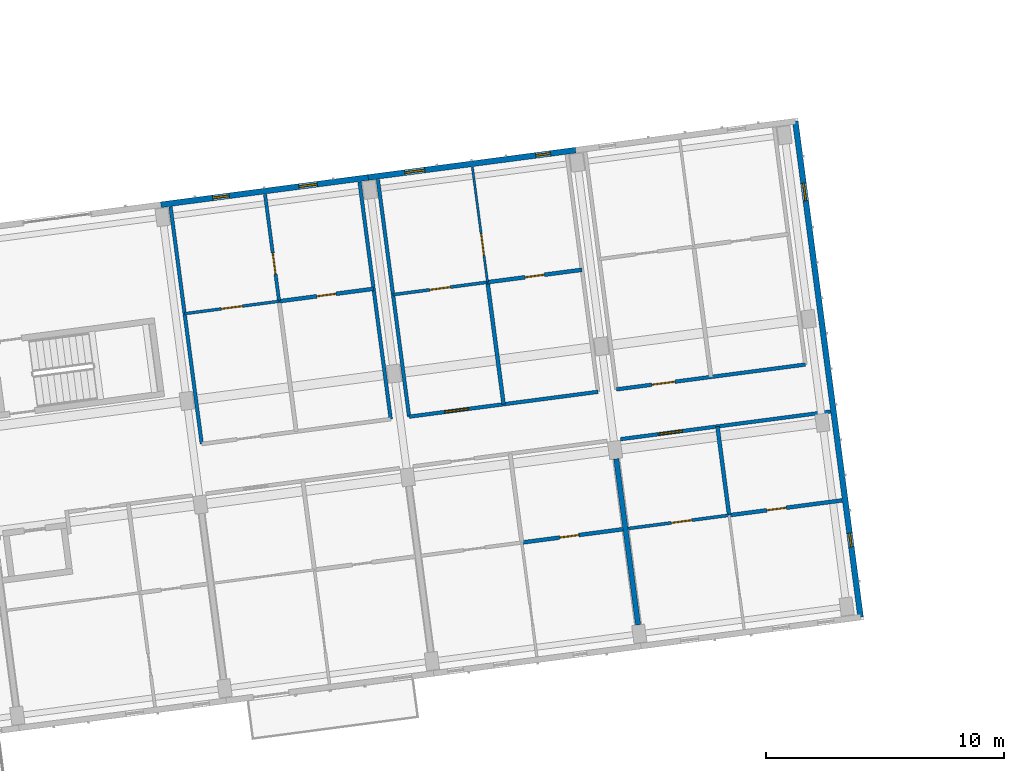
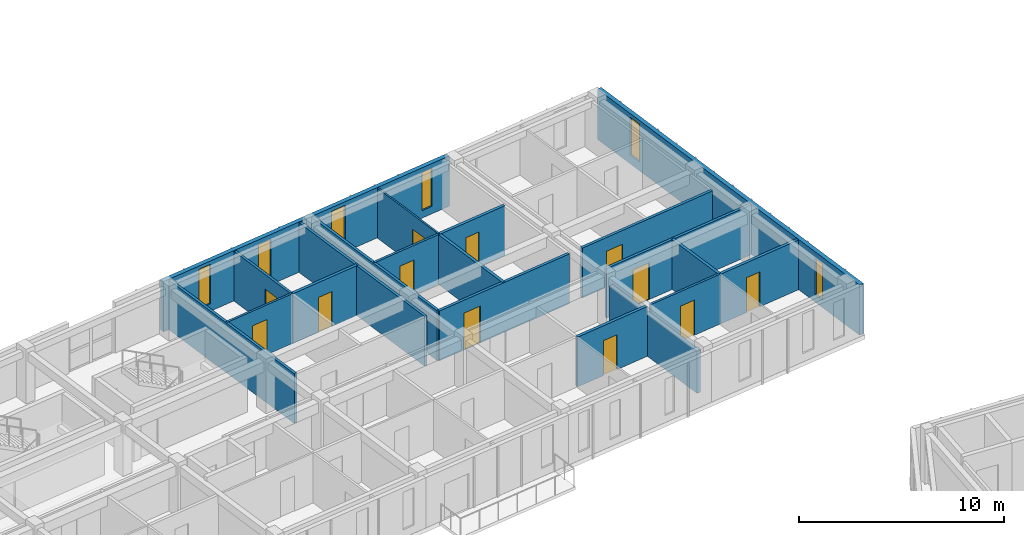
# One storey, part 24 of 68: 21 walls, 12 doors, 6 windows, 18 openings.
"""IFC4 building model written with IfcOpenShell, lengths in metres."""

from ifc_helpers import new_model, si_unit, direction, frame, frame_2d, origin, place, context, subcontext, project, spatial, rectangle, extrude, material, layer, layer_set, type_object, element, fill, save


model = new_model("IFC4")

# Units and contexts
model_context = context("Model", 3, precision=1e-05, world=origin(), true_north=direction((0.0, 1.0)))
body_context = subcontext(model_context, "Body", "Model", "MODEL_VIEW")
ifc_project = project(units=[si_unit("LENGTHUNIT", "METRE"), si_unit("AREAUNIT", "SQUARE_METRE"), si_unit("VOLUMEUNIT", "CUBIC_METRE"), si_unit("PLANEANGLEUNIT", "RADIAN"), si_unit("MASSUNIT", "GRAM", prefix="KILO")], contexts=[model_context])

# Site, building, storey
site_placement = place(None, origin())
site = spatial("IfcSite", under=ifc_project, at=site_placement, CompositionType="ELEMENT")
building_placement = place(site_placement, origin())
building = spatial("IfcBuilding", under=site, at=building_placement, Name="Kestramere Prow Commons", CompositionType="ELEMENT")
storey_placement = place(building_placement, frame((0.0, 0.0, 18.14990234375)))
storey = spatial("IfcBuildingStorey", under=building, at=storey_placement, Name="L05", CompositionType="ELEMENT", Elevation=18.14990234375)

# Wall, openings, windows
ifc_material_1 = material(Name="Fluoropolymer Standing-Seam Zinc-Aluminium Cladding", Category="aluminium")
ifc_layer_1 = layer(ifc_material_1, 0.239990234375)
ifc_layer_set_1 = layer_set([ifc_layer_1], Name="Fluoropolymer Standing-Seam Zinc-Aluminium Cladding")
wall_type_1 = type_object("IfcWallType", Name="EW-SEAM-240", PredefinedType="SOLIDWALL", material=ifc_layer_set_1)
wall_1_placement = place(storey_placement, frame((34.695068359375, 95.79541015625, 0.0), z_axis=(0.0, 0.0, 1.0), x_axis=(0.991447967712, 0.130502595073, 0.0)))
wall_1 = element("IfcWall", 1, at=wall_1_placement, inside=storey, type_object=wall_type_1, Name="Block A L05 North Standing-Seam Wall 4", PredefinedType="SOLIDWALL", context=body_context, shape_type="SweptSolid", body=[
    extrude(rectangle(XDim=8.800048828125, YDim=0.239990234375, at=frame_2d((4.39990234375, 0.0))), origin(), (0.0, 0.0, 1.0), 3.0),
])
opening_1_placement = place(wall_1_placement, frame((2.1943359375, 0.0, 0.43994140625)))
opening_1 = element("IfcOpeningElement", 2, at=opening_1_placement, cuts=wall_1, Name="Opening WN-07", PredefinedType="OPENING", context=body_context, shape_type="SweptSolid", body=[
    extrude(rectangle(XDim=0.699951171875, YDim=2.360107421875, at=frame_2d((0.35009765625, 1.18017578125))), frame((0.0, 0.135009765625, 0.0), z_axis=(0.0, -1.0, 0.0), x_axis=(1.0, 0.0, 0.0)), (0.0, 0.0, 1.0), 0.27001953125),
])
opening_2_placement = place(wall_1_placement, frame((5.848876953125, 0.0, 0.5)))
opening_2 = element("IfcOpeningElement", 3, at=opening_2_placement, cuts=wall_1, Name="Opening WN-11", PredefinedType="OPENING", context=body_context, shape_type="SweptSolid", body=[
    extrude(rectangle(XDim=0.780029296875, YDim=2.199951171875, at=frame_2d((0.39013671875, 1.10009765625))), frame((0.0, 0.135009765625, 0.0), z_axis=(0.0, -1.0, 0.0), x_axis=(1.0, 0.0, 0.0)), (0.0, 0.0, 1.0), 0.27001953125),
])
ifc_material_2 = material(Name="Low-E Laminated Double Glazing", Category="glass")
window_type_1 = type_object("IfcWindowType", Name="WN-NAR-700A", PartitioningType="SINGLE_PANEL", PredefinedType="WINDOW", material=ifc_material_2)
window_1_placement = place(opening_1_placement, origin())
window_1 = element("IfcWindow", 4, at=window_1_placement, inside=storey, type_object=window_type_1, Name="WN-A-L05-N-3-0", OverallHeight=2.360107421875, OverallWidth=0.699951171875, PartitioningType="SINGLE_PANEL", PredefinedType="WINDOW", context=body_context, shape_type="SweptSolid", body=[
    extrude(rectangle(XDim=0.699951171875, YDim=2.360107421875, at=frame_2d((0.35009765625, 1.18017578125))), frame((0.0, 0.030029296875, 0.0), z_axis=(0.0, -1.0, 0.0), x_axis=(1.0, 0.0, 0.0)), (0.0, 0.0, 1.0), 0.06005859375),
])
fill(opening_1, window_1)
window_type_2 = type_object("IfcWindowType", Name="WN-NAR-780A", PartitioningType="SINGLE_PANEL", PredefinedType="WINDOW", material=ifc_material_2)
window_2_placement = place(opening_2_placement, origin())
window_2 = element("IfcWindow", 5, at=window_2_placement, inside=storey, type_object=window_type_2, Name="WN-A-L05-N-3-1", OverallHeight=2.199951171875, OverallWidth=0.780029296875, PartitioningType="SINGLE_PANEL", PredefinedType="WINDOW", context=body_context, shape_type="SweptSolid", body=[
    extrude(rectangle(XDim=0.780029296875, YDim=2.199951171875, at=frame_2d((0.39013671875, 1.10009765625))), frame((0.0, 0.030029296875, 0.0), z_axis=(0.0, -1.0, 0.0), x_axis=(1.0, 0.0, 0.0)), (0.0, 0.0, 1.0), 0.06005859375),
])
fill(opening_2, window_2)

wall_2_placement = place(storey_placement, frame((43.419921875, 96.94384765625, 0.0), z_axis=(0.0, 0.0, 1.0), x_axis=(0.991443905089, 0.130533455715, 0.0)))
wall_2 = element("IfcWall", 6, at=wall_2_placement, inside=storey, type_object=wall_type_1, Name="Block A L05 North Standing-Seam Wall 5", PredefinedType="SOLIDWALL", context=body_context, shape_type="SweptSolid", body=[
    extrude(rectangle(XDim=8.7998046875, YDim=0.239990234375, at=frame_2d((4.39990234375, 0.0))), origin(), (0.0, 0.0, 1.0), 3.0),
])
opening_3_placement = place(wall_2_placement, frame((1.552001953125, 0.0, 0.5)))
opening_3 = element("IfcOpeningElement", 7, at=opening_3_placement, cuts=wall_2, Name="Opening WN-14", PredefinedType="OPENING", context=body_context, shape_type="SweptSolid", body=[
    extrude(rectangle(XDim=0.840087890625, YDim=2.280029296875, at=frame_2d((0.419921875, 1.14013671875))), frame((0.0, 0.135009765625, 0.0), z_axis=(0.0, -1.0, 0.0), x_axis=(1.0, 0.0, 0.0)), (0.0, 0.0, 1.0), 0.27001953125),
])
opening_4_placement = place(wall_2_placement, frame((7.11279296875, 0.0, 0.43994140625)))
opening_4 = element("IfcOpeningElement", 8, at=opening_4_placement, cuts=wall_2, Name="Opening WN-03", PredefinedType="OPENING", context=body_context, shape_type="SweptSolid", body=[
    extrude(rectangle(XDim=0.6201171875, YDim=2.280029296875, at=frame_2d((0.31005859375, 1.14013671875))), frame((0.0, 0.135009765625, 0.0), z_axis=(0.0, -1.0, 0.0), x_axis=(1.0, 0.0, 0.0)), (0.0, 0.0, 1.0), 0.27001953125),
])
window_type_3 = type_object("IfcWindowType", Name="WN-NAR-620A", PartitioningType="SINGLE_PANEL", PredefinedType="WINDOW", material=ifc_material_2)
window_3_placement = place(opening_4_placement, origin())
window_3 = element("IfcWindow", 9, at=window_3_placement, inside=storey, type_object=window_type_3, Name="WN-A-L05-N-4-1", OverallHeight=2.280029296875, OverallWidth=0.6201171875, PartitioningType="SINGLE_PANEL", PredefinedType="WINDOW", context=body_context, shape_type="SweptSolid", body=[
    extrude(rectangle(XDim=0.6201171875, YDim=2.280029296875, at=frame_2d((0.31005859375, 1.14013671875))), frame((0.0, 0.030029296875, 0.0), z_axis=(0.0, -1.0, 0.0), x_axis=(1.0, 0.0, 0.0)), (0.0, 0.0, 1.0), 0.06005859375),
])
fill(opening_4, window_3)
window_type_4 = type_object("IfcWindowType", Name="WN-NAR-840A", PartitioningType="DOUBLE_PANEL_VERTICAL", PredefinedType="WINDOW", material=ifc_material_2)
window_4_placement = place(opening_3_placement, origin())
window_4 = element("IfcWindow", 10, at=window_4_placement, inside=storey, type_object=window_type_4, Name="WN-A-L05-N-4-0", OverallHeight=2.280029296875, OverallWidth=0.840087890625, PartitioningType="SINGLE_PANEL", PredefinedType="WINDOW", context=body_context, shape_type="SweptSolid", body=[
    extrude(rectangle(XDim=0.840087890625, YDim=2.280029296875, at=frame_2d((0.419921875, 1.14013671875))), frame((0.0, 0.030029296875, 0.0), z_axis=(0.0, -1.0, 0.0), x_axis=(1.0, 0.0, 0.0)), (0.0, 0.0, 1.0), 0.06005859375),
])
fill(opening_3, window_4)

wall_3_placement = place(storey_placement, frame((61.3896484375, 99.309814453125, 0.0), z_axis=(0.0, 0.0, 1.0), x_axis=(0.13052411616, -0.99144513469, 0.0)))
wall_3 = element("IfcWall", 11, at=wall_3_placement, inside=storey, type_object=wall_type_1, Name="Block A L05 EAV Facet Wall", PredefinedType="SOLIDWALL", context=body_context, shape_type="SweptSolid", body=[
    extrude(rectangle(XDim=21.05029296875, YDim=0.239990234375, at=frame_2d((10.525146484375, 0.0))), origin(), (0.0, 0.0, 1.0), 3.0),
])
opening_5_placement = place(wall_3_placement, frame((2.6298828125, 0.0, 0.52001953125)))
opening_5 = element("IfcOpeningElement", 12, at=opening_5_placement, cuts=wall_3, Name="Opening WN-09", PredefinedType="OPENING", context=body_context, shape_type="SweptSolid", body=[
    extrude(rectangle(XDim=0.739990234375, YDim=2.260009765625, at=frame_2d((0.3701171875, 1.1298828125))), frame((0.0, 0.135009765625, 0.0), z_axis=(0.0, -1.0, 0.0), x_axis=(1.0, 0.0, 0.0)), (0.0, 0.0, 1.0), 0.27001953125),
])
opening_6_placement = place(wall_3_placement, frame((17.47998046875, 0.0, 0.449951171875)))
opening_6 = element("IfcOpeningElement", 13, at=opening_6_placement, cuts=wall_3, Name="Opening WN-01", PredefinedType="OPENING", context=body_context, shape_type="SweptSolid", body=[
    extrude(rectangle(XDim=0.580078125, YDim=2.159912109375, at=frame_2d((0.2900390625, 1.080078125))), frame((0.0, 0.135009765625, 0.0), z_axis=(0.0, -1.0, 0.0), x_axis=(1.0, 0.0, 0.0)), (0.0, 0.0, 1.0), 0.27001953125),
])
window_type_5 = type_object("IfcWindowType", Name="WN-NAR-580A", PartitioningType="SINGLE_PANEL", PredefinedType="WINDOW", material=ifc_material_2)
window_5_placement = place(opening_6_placement, origin())
window_5 = element("IfcWindow", 14, at=window_5_placement, inside=storey, type_object=window_type_5, Name="WN-A-L05-EAV-1", OverallHeight=2.159912109375, OverallWidth=0.580078125, PartitioningType="SINGLE_PANEL", PredefinedType="WINDOW", context=body_context, shape_type="SweptSolid", body=[
    extrude(rectangle(XDim=0.580078125, YDim=2.159912109375, at=frame_2d((0.2900390625, 1.080078125))), frame((0.0, 0.030029296875, 0.0), z_axis=(0.0, -1.0, 0.0), x_axis=(1.0, 0.0, 0.0)), (0.0, 0.0, 1.0), 0.06005859375),
])
fill(opening_6, window_5)
window_type_6 = type_object("IfcWindowType", Name="WN-NAR-740A", PartitioningType="SINGLE_PANEL", PredefinedType="WINDOW", material=ifc_material_2)
window_6_placement = place(opening_5_placement, origin())
window_6 = element("IfcWindow", 15, at=window_6_placement, inside=storey, type_object=window_type_6, Name="WN-A-L05-EAV-0", OverallHeight=2.260009765625, OverallWidth=0.739990234375, PartitioningType="SINGLE_PANEL", PredefinedType="WINDOW", context=body_context, shape_type="SweptSolid", body=[
    extrude(rectangle(XDim=0.739990234375, YDim=2.260009765625, at=frame_2d((0.3701171875, 1.1298828125))), frame((0.0, 0.030029296875, 0.0), z_axis=(0.0, -1.0, 0.0), x_axis=(1.0, 0.0, 0.0)), (0.0, 0.0, 1.0), 0.06005859375),
])
fill(opening_5, window_6)

# Wall, opening, door
ifc_material_3 = material(Name="Fire-Rated Calcium Silicate Wall")
ifc_layer_2 = layer(ifc_material_3, 0.155029296875)
ifc_layer_set_2 = layer_set([ifc_layer_2], Name="Fire-Rated Calcium Silicate Wall")
wall_type_2 = type_object("IfcWallType", Name="W-FIRE-150", PredefinedType="PARTITIONING", material=ifc_layer_set_2)
wall_4_placement = place(storey_placement, frame((54.033203125, 85.929931640625, 0.0), z_axis=(0.0, 0.0, 1.0), x_axis=(0.991443380249, 0.130537441989, 0.0)))
wall_4 = element("IfcWall", 16, at=wall_4_placement, inside=storey, type_object=wall_type_2, Name="Interior Partition PW-A-L05-CS-5", PredefinedType="PARTITIONING", context=body_context, shape_type="SweptSolid", body=[
    extrude(rectangle(XDim=8.909912109375, YDim=0.155029296875, at=frame_2d((4.455078125, 0.0))), origin(), (0.0, 0.0, 1.0), 2.97021484375),
])
opening_7_placement = place(wall_4_placement, frame((1.60498046875, 0.0, 0.0)))
opening_7 = element("IfcOpeningElement", 17, at=opening_7_placement, cuts=wall_4, Name="Opening ID-05", PredefinedType="OPENING", context=body_context, shape_type="SweptSolid", body=[
    extrude(rectangle(XDim=1.02001953125, YDim=2.199951171875, at=frame_2d((0.510009765625, 1.10009765625))), frame((0.0, 0.092529296875, 0.0), z_axis=(0.0, -1.0, 0.0), x_axis=(1.0, 0.0, 0.0)), (0.0, 0.0, 1.0), 0.18505859375),
])
ifc_material_4 = material(Name="Hardwood Fire-Rated Flat Entrance Door", Category="wood")
door_type_1 = type_object("IfcDoorType", Name="FD-ENT-02", OperationType="NOTDEFINED", PredefinedType="DOOR", material=ifc_material_4)
door_1_placement = place(opening_7_placement, origin())
door_1 = element("IfcDoor", 18, at=door_1_placement, inside=storey, type_object=door_type_1, Name="Interior Door DR-A-L05-ENT-S5", OperationType="SINGLE_SWING_LEFT", OverallHeight=2.199951171875, OverallWidth=1.02001953125, PredefinedType="DOOR", context=body_context, shape_type="SweptSolid", body=[
    extrude(rectangle(XDim=1.02001953125, YDim=2.199951171875, at=frame_2d((0.510009765625, 1.10009765625))), frame((0.0, 0.02490234375, 0.0), z_axis=(0.0, -1.0, 0.0), x_axis=(1.0, 0.0, 0.0)), (0.0, 0.0, 1.0), 0.050048828125),
])
fill(opening_7, door_1)

wall_5_placement = place(storey_placement, frame((45.138427734375, 86.877197265625, 0.0), z_axis=(0.0, 0.0, 1.0), x_axis=(0.991444034844, 0.130532470184, 0.0)))
wall_5 = element("IfcWall", 19, at=wall_5_placement, inside=storey, type_object=wall_type_2, Name="Interior Partition PW-A-L05-CN-4", PredefinedType="PARTITIONING", context=body_context, shape_type="SweptSolid", body=[
    extrude(rectangle(XDim=8.02001953125, YDim=0.155029296875, at=frame_2d((4.010009765625, 0.0))), origin(), (0.0, 0.0, 1.0), 2.97021484375),
])
opening_8_placement = place(wall_5_placement, frame((1.5048828125, 0.0, 0.0)))
opening_8 = element("IfcOpeningElement", 20, at=opening_8_placement, cuts=wall_5, Name="Opening ID-05", PredefinedType="OPENING", context=body_context, shape_type="SweptSolid", body=[
    extrude(rectangle(XDim=1.02001953125, YDim=2.199951171875, at=frame_2d((0.510009765625, 1.10009765625))), frame((0.0, 0.092529296875, 0.0), z_axis=(0.0, -1.0, 0.0), x_axis=(1.0, 0.0, 0.0)), (0.0, 0.0, 1.0), 0.18505859375),
])
door_2_placement = place(opening_8_placement, origin())
door_2 = element("IfcDoor", 21, at=door_2_placement, inside=storey, type_object=door_type_1, Name="Interior Door DR-A-L05-ENT-N4", OperationType="SINGLE_SWING_LEFT", OverallHeight=2.199951171875, OverallWidth=1.02001953125, PredefinedType="DOOR", context=body_context, shape_type="SweptSolid", body=[
    extrude(rectangle(XDim=1.02001953125, YDim=2.199951171875, at=frame_2d((0.510009765625, 1.10009765625))), frame((0.0, 0.02490234375, 0.0), z_axis=(0.0, -1.0, 0.0), x_axis=(1.0, 0.0, 0.0)), (0.0, 0.0, 1.0), 0.050048828125),
])
fill(opening_8, door_2)

wall_6_placement = place(storey_placement, frame((53.86328125, 88.02587890625, 0.0), z_axis=(0.0, 0.0, 1.0), x_axis=(0.991447973994, 0.130502547346, 0.0)))
wall_6 = element("IfcWall", 22, at=wall_6_placement, inside=storey, type_object=wall_type_2, Name="Interior Partition PW-A-L05-CN-5", PredefinedType="PARTITIONING", context=body_context, shape_type="SweptSolid", body=[
    extrude(rectangle(XDim=8.02001953125, YDim=0.155029296875, at=frame_2d((4.010009765625, 0.0))), origin(), (0.0, 0.0, 1.0), 2.97021484375),
])
opening_9_placement = place(wall_6_placement, frame((1.5048828125, 0.0, 0.0)))
opening_9 = element("IfcOpeningElement", 23, at=opening_9_placement, cuts=wall_6, Name="Opening ID-04", PredefinedType="OPENING", context=body_context, shape_type="SweptSolid", body=[
    extrude(rectangle(XDim=0.97998046875, YDim=2.14990234375, at=frame_2d((0.489990234375, 1.074951171875))), frame((0.0, 0.092529296875, 0.0), z_axis=(0.0, -1.0, 0.0), x_axis=(1.0, 0.0, 0.0)), (0.0, 0.0, 1.0), 0.18505859375),
])
door_type_2 = type_object("IfcDoorType", Name="FD-ENT-01", OperationType="NOTDEFINED", PredefinedType="DOOR", material=ifc_material_4)
door_3_placement = place(opening_9_placement, origin())
door_3 = element("IfcDoor", 24, at=door_3_placement, inside=storey, type_object=door_type_2, Name="Interior Door DR-A-L05-ENT-N5", OperationType="SINGLE_SWING_RIGHT", OverallHeight=2.14990234375, OverallWidth=0.97998046875, PredefinedType="DOOR", context=body_context, shape_type="SweptSolid", body=[
    extrude(rectangle(XDim=0.97998046875, YDim=2.14990234375, at=frame_2d((0.489990234375, 1.074951171875))), frame((0.0, 0.02490234375, 0.0), z_axis=(0.0, -1.0, 0.0), x_axis=(1.0, 0.0, 0.0)), (0.0, 0.0, 1.0), 0.050048828125),
])
fill(opening_9, door_3)

ifc_material_5 = material(Name="Lightweight Blockwork and Plaster", Category="masonry")
ifc_layer_3 = layer(ifc_material_5, 0.1201171875)
ifc_layer_set_3 = layer_set([ifc_layer_3], Name="Lightweight Blockwork and Plaster")
wall_type_3 = type_object("IfcWallType", Name="W-PART-120", PredefinedType="PARTITIONING", material=ifc_layer_set_3)
wall_7_placement = place(storey_placement, frame((35.69189453125, 91.211181640625, 0.0), z_axis=(0.0, 0.0, 1.0), x_axis=(0.991444553502, 0.130528530716, 0.0)))
wall_7 = element("IfcWall", 25, at=wall_7_placement, inside=storey, type_object=wall_type_3, Name="Interior Partition PW-A-L05-MIDN1-3", PredefinedType="PARTITIONING", context=body_context, shape_type="SweptSolid", body=[
    extrude(rectangle(XDim=4.01025390625, YDim=0.1201171875, at=frame_2d((2.005126953125, 0.0))), origin(), (0.0, 0.0, 1.0), 2.97021484375),
])
opening_10_placement = place(wall_7_placement, frame((1.554931640625, 0.0, 0.0)))
opening_10 = element("IfcOpeningElement", 26, at=opening_10_placement, cuts=wall_7, Name="Opening ID-08", PredefinedType="OPENING", context=body_context, shape_type="SweptSolid", body=[
    extrude(rectangle(XDim=0.89990234375, YDim=2.10009765625, at=frame_2d((0.449951171875, 1.050048828125))), frame((0.0, 0.074951171875, 0.0), z_axis=(0.0, -1.0, 0.0), x_axis=(1.0, 0.0, 0.0)), (0.0, 0.0, 1.0), 0.150146484375),
])
ifc_material_6 = material(Name="Engineered Timber Flush Door", Category="wood")
door_type_3 = type_object("IfcDoorType", Name="D-RM-01", OperationType="NOTDEFINED", PredefinedType="DOOR", material=ifc_material_6)
door_4_placement = place(opening_10_placement, origin())
door_4 = element("IfcDoor", 27, at=door_4_placement, inside=storey, type_object=door_type_3, Name="Interior Door DR-A-L05-KL-N3", OperationType="SINGLE_SWING_LEFT", OverallHeight=2.10009765625, OverallWidth=0.89990234375, PredefinedType="DOOR", context=body_context, shape_type="SweptSolid", body=[
    extrude(rectangle(XDim=0.89990234375, YDim=2.10009765625, at=frame_2d((0.449951171875, 1.050048828125))), frame((0.0, 0.02490234375, 0.0), z_axis=(0.0, -1.0, 0.0), x_axis=(1.0, 0.0, 0.0)), (0.0, 0.0, 1.0), 0.050048828125),
])
fill(opening_10, door_4)

ifc_layer_4 = layer(ifc_material_5, 0.1298828125)
ifc_layer_set_4 = layer_set([ifc_layer_4], Name="Lightweight Blockwork and Plaster")
wall_type_4 = type_object("IfcWallType", Name="W-PART-130", PredefinedType="PARTITIONING", material=ifc_layer_set_4)
wall_8_placement = place(storey_placement, frame((54.356689453125, 82.170166015625, 0.0), z_axis=(0.0, 0.0, 1.0), x_axis=(0.991444014242, 0.130532626667, 0.0)))
wall_8 = element("IfcWall", 28, at=wall_8_placement, inside=storey, type_object=wall_type_4, Name="Interior Partition PW-A-L05-MIDS1-5", PredefinedType="PARTITIONING", context=body_context, shape_type="SweptSolid", body=[
    extrude(rectangle(XDim=4.284912109375, YDim=0.1298828125, at=frame_2d((2.142578125, 0.0))), origin(), (0.0, 0.0, 1.0), 2.97021484375),
])
opening_11_placement = place(wall_8_placement, frame((1.824951171875, 0.0, 0.0)))
opening_11 = element("IfcOpeningElement", 29, at=opening_11_placement, cuts=wall_8, Name="Opening ID-10", PredefinedType="OPENING", context=body_context, shape_type="SweptSolid", body=[
    extrude(rectangle(XDim=0.8798828125, YDim=2.10009765625, at=frame_2d((0.43994140625, 1.050048828125))), frame((0.0, 0.079833984375, 0.0), z_axis=(0.0, -1.0, 0.0), x_axis=(1.0, 0.0, 0.0)), (0.0, 0.0, 1.0), 0.159912109375),
])
ifc_material_7 = material(Name="Engineered Timber Bedroom Door", Category="wood")
door_type_4 = type_object("IfcDoorType", Name="D-RM-03", OperationType="NOTDEFINED", PredefinedType="DOOR", material=ifc_material_7)
door_5_placement = place(opening_11_placement, origin())
door_5 = element("IfcDoor", 30, at=door_5_placement, inside=storey, type_object=door_type_4, Name="Interior Door DR-A-L05-KL-S5", OperationType="SINGLE_SWING_RIGHT", OverallHeight=2.10009765625, OverallWidth=0.8798828125, PredefinedType="DOOR", context=body_context, shape_type="SweptSolid", body=[
    extrude(rectangle(XDim=0.8798828125, YDim=2.10009765625, at=frame_2d((0.43994140625, 1.050048828125))), frame((0.0, 0.02490234375, 0.0), z_axis=(0.0, -1.0, 0.0), x_axis=(1.0, 0.0, 0.0)), (0.0, 0.0, 1.0), 0.050048828125),
])
fill(opening_11, door_5)

wall_9_placement = place(storey_placement, frame((44.46240234375, 92.012939453125, 0.0), z_axis=(0.0, 0.0, 1.0), x_axis=(0.991451394038, 0.130476562111, 0.0)))
wall_9 = element("IfcWall", 31, at=wall_9_placement, inside=storey, type_object=wall_type_4, Name="Interior Partition PW-A-L05-MIDN1-4", PredefinedType="PARTITIONING", context=body_context, shape_type="SweptSolid", body=[
    extrude(rectangle(XDim=4.009765625, YDim=0.1298828125, at=frame_2d((2.0048828125, 0.0))), origin(), (0.0, 0.0, 1.0), 2.97021484375),
])
opening_12_placement = place(wall_9_placement, frame((1.554931640625, 0.0, 0.0)))
opening_12 = element("IfcOpeningElement", 32, at=opening_12_placement, cuts=wall_9, Name="Opening ID-10", PredefinedType="OPENING", context=body_context, shape_type="SweptSolid", body=[
    extrude(rectangle(XDim=0.8798828125, YDim=2.10009765625, at=frame_2d((0.43994140625, 1.050048828125))), frame((0.0, 0.079833984375, 0.0), z_axis=(0.0, -1.0, 0.0), x_axis=(1.0, 0.0, 0.0)), (0.0, 0.0, 1.0), 0.159912109375),
])
door_6_placement = place(opening_12_placement, origin())
door_6 = element("IfcDoor", 33, at=door_6_placement, inside=storey, type_object=door_type_4, Name="Interior Door DR-A-L05-KL-N4", OperationType="SINGLE_SWING_LEFT", OverallHeight=2.10009765625, OverallWidth=0.8798828125, PredefinedType="DOOR", context=body_context, shape_type="SweptSolid", body=[
    extrude(rectangle(XDim=0.8798828125, YDim=2.10009765625, at=frame_2d((0.43994140625, 1.050048828125))), frame((0.0, 0.02490234375, 0.0), z_axis=(0.0, -1.0, 0.0), x_axis=(1.0, 0.0, 0.0)), (0.0, 0.0, 1.0), 0.050048828125),
])
fill(opening_12, door_6)

ifc_material_8 = material(Name="Masonry Compartment Wall", Category="masonry")
ifc_layer_5 = layer(ifc_material_8, 0.139892578125)
ifc_layer_set_5 = layer_set([ifc_layer_5], Name="Masonry Compartment Wall")
wall_type_5 = type_object("IfcWallType", Name="W-PART-140", PredefinedType="PARTITIONING", material=ifc_layer_set_5)
wall_10_placement = place(storey_placement, frame((39.667724609375, 91.734619140625, 0.0), z_axis=(0.0, 0.0, 1.0), x_axis=(-0.130564403497, 0.991439830015, 0.0)))
wall_10 = element("IfcWall", 34, at=wall_10_placement, inside=storey, type_object=wall_type_5, Name="Interior Partition PW-A-L05-LB-N3", PredefinedType="PARTITIONING", context=body_context, shape_type="SweptSolid", body=[
    extrude(rectangle(XDim=4.5400390625, YDim=0.139892578125, at=frame_2d((2.27001953125, 0.0))), origin(), (0.0, 0.0, 1.0), 2.97021484375),
])
opening_13_placement = place(wall_10_placement, frame((1.14990234375, 0.0, 0.0)))
opening_13 = element("IfcOpeningElement", 35, at=opening_13_placement, cuts=wall_10, Name="Opening ID-08", PredefinedType="OPENING", context=body_context, shape_type="SweptSolid", body=[
    extrude(rectangle(XDim=0.89990234375, YDim=2.10009765625, at=frame_2d((0.449951171875, 1.050048828125))), frame((0.0, 0.0849609375, 0.0), z_axis=(0.0, -1.0, 0.0), x_axis=(1.0, 0.0, 0.0)), (0.0, 0.0, 1.0), 0.169921875),
])
door_7_placement = place(opening_13_placement, origin())
door_7 = element("IfcDoor", 36, at=door_7_placement, inside=storey, type_object=door_type_3, Name="Interior Door DR-A-L05-BED-N3", OperationType="SINGLE_SWING_LEFT", OverallHeight=2.10009765625, OverallWidth=0.89990234375, PredefinedType="DOOR", context=body_context, shape_type="SweptSolid", body=[
    extrude(rectangle(XDim=0.89990234375, YDim=2.10009765625, at=frame_2d((0.449951171875, 1.050048828125))), frame((0.0, 0.02490234375, 0.0), z_axis=(0.0, -1.0, 0.0), x_axis=(1.0, 0.0, 0.0)), (0.0, 0.0, 1.0), 0.050048828125),
])
fill(opening_13, door_7)

# Walls
ifc_layer_6 = layer(ifc_material_8, 0.14990234375)
ifc_layer_set_6 = layer_set([ifc_layer_6], Name="Masonry Compartment Wall")
wall_type_6 = type_object("IfcWallType", Name="W-PART-150", PredefinedType="PARTITIONING", material=ifc_layer_set_6)
for number, where, z_axis, x_axis, name in (
    (37, (36.413818359375, 85.728515625, 0.0), (0.0, 0.0, 1.0), (-0.130531024319, 0.991444225204, 0.0), "Interior Partition PW-A-L05-NWL-3"),
    (38, (44.365234375, 86.775390625, 0.0), (0.0, 0.0, 1.0), (-0.130531024319, 0.991444225204, 0.0), "Interior Partition PW-A-L05-NWR-3"),
    (39, (45.138427734375, 86.877197265625, 0.0), (0.0, 0.0, 1.0), (-0.130531024319, 0.991444225204, 0.0), "Interior Partition PW-A-L05-NWL-4"),
):
    element("IfcWall", number, at=place(storey_placement, frame(where, z_axis=z_axis, x_axis=x_axis)), inside=storey, type_object=wall_type_6, Name=name, PredefinedType="PARTITIONING", context=body_context, shape_type="SweptSolid", body=[
        extrude(rectangle(XDim=10.070068359375, YDim=0.14990234375, at=frame_2d((5.03515625, 0.0))), origin(), (0.0, 0.0, 1.0), 2.97021484375),
    ])

# Wall, opening, door
ifc_material_9 = material(Name="Gypsum Acoustic Drywall")
ifc_layer_7 = layer(ifc_material_9, 0.094970703125)
ifc_layer_set_7 = layer_set([ifc_layer_7], Name="Gypsum Acoustic Drywall")
wall_type_7 = type_object("IfcWallType", Name="W-PART-95", PredefinedType="PARTITIONING", material=ifc_layer_set_7)
wall_11_placement = place(storey_placement, frame((48.43798828125, 92.5361328125, 0.0), z_axis=(0.0, 0.0, 1.0), x_axis=(-0.130508755558, 0.991447156798, 0.0)))
wall_11 = element("IfcWall", 40, at=wall_11_placement, inside=storey, type_object=wall_type_7, Name="Interior Partition PW-A-L05-LB-N4", PredefinedType="PARTITIONING", context=body_context, shape_type="SweptSolid", body=[
    extrude(rectangle(XDim=4.889892578125, YDim=0.094970703125, at=frame_2d((2.44482421875, 0.0))), origin(), (0.0, 0.0, 1.0), 2.97021484375),
])
opening_14_placement = place(wall_11_placement, frame((1.14990234375, 0.0, 0.0)))
opening_14 = element("IfcOpeningElement", 41, at=opening_14_placement, cuts=wall_11, Name="Opening ID-08", PredefinedType="OPENING", context=body_context, shape_type="SweptSolid", body=[
    extrude(rectangle(XDim=0.89990234375, YDim=2.10009765625, at=frame_2d((0.449951171875, 1.050048828125))), frame((0.0, 0.0625, 0.0), z_axis=(0.0, -1.0, 0.0), x_axis=(1.0, 0.0, 0.0)), (0.0, 0.0, 1.0), 0.125),
])
door_8_placement = place(opening_14_placement, origin())
door_8 = element("IfcDoor", 42, at=door_8_placement, inside=storey, type_object=door_type_3, Name="Interior Door DR-A-L05-BED-N4", OperationType="SINGLE_SWING_LEFT", OverallHeight=2.10009765625, OverallWidth=0.89990234375, PredefinedType="DOOR", context=body_context, shape_type="SweptSolid", body=[
    extrude(rectangle(XDim=0.89990234375, YDim=2.10009765625, at=frame_2d((0.449951171875, 1.050048828125))), frame((0.0, 0.02490234375, 0.0), z_axis=(0.0, -1.0, 0.0), x_axis=(1.0, 0.0, 0.0)), (0.0, 0.0, 1.0), 0.050048828125),
])
fill(opening_14, door_8)

ifc_material_10 = material(Name="Waterproof Sanitary Masonry Wall", Category="masonry")
ifc_layer_8 = layer(ifc_material_10, 0.1650390625)
ifc_layer_set_8 = layer_set([ifc_layer_8], Name="Waterproof Sanitary Masonry Wall")
wall_type_8 = type_object("IfcWallType", Name="W-PLUMB-150", PredefinedType="PLUMBINGWALL", material=ifc_layer_set_8)
wall_12_placement = place(storey_placement, frame((49.88037109375, 81.580810546875, 0.0), z_axis=(0.0, 0.0, 1.0), x_axis=(0.991444014242, 0.130532626667, 0.0)))
wall_12 = element("IfcWall", 43, at=wall_12_placement, inside=storey, type_object=wall_type_8, Name="Interior Partition PW-A-L05-MIDS2-4", PredefinedType="PLUMBINGWALL", context=body_context, shape_type="SweptSolid", body=[
    extrude(rectangle(XDim=4.284912109375, YDim=0.1650390625, at=frame_2d((2.142578125, 0.0))), origin(), (0.0, 0.0, 1.0), 2.97021484375),
])
opening_15_placement = place(wall_12_placement, frame((1.60009765625, 0.0, 0.0)))
opening_15 = element("IfcOpeningElement", 44, at=opening_15_placement, cuts=wall_12, Name="Opening ID-11", PredefinedType="OPENING", context=body_context, shape_type="SweptSolid", body=[
    extrude(rectangle(XDim=0.820068359375, YDim=2.080078125, at=frame_2d((0.41015625, 1.0400390625))), frame((0.0, 0.097412109375, 0.0), z_axis=(0.0, -1.0, 0.0), x_axis=(1.0, 0.0, 0.0)), (0.0, 0.0, 1.0), 0.195068359375),
])
ifc_material_11 = material(Name="Moisture-Resistant Timber Bathroom Door", Category="wood")
door_type_5 = type_object("IfcDoorType", Name="D-BT-01", OperationType="NOTDEFINED", PredefinedType="DOOR", material=ifc_material_11)
door_9_placement = place(opening_15_placement, origin())
door_9 = element("IfcDoor", 45, at=door_9_placement, inside=storey, type_object=door_type_5, Name="Interior Door DR-A-L05-BTH-S4", OperationType="SINGLE_SWING_LEFT", OverallHeight=2.080078125, OverallWidth=0.820068359375, PredefinedType="DOOR", context=body_context, shape_type="SweptSolid", body=[
    extrude(rectangle(XDim=0.820068359375, YDim=2.080078125, at=frame_2d((0.41015625, 1.0400390625))), frame((0.0, 0.02490234375, 0.0), z_axis=(0.0, -1.0, 0.0), x_axis=(1.0, 0.0, 0.0)), (0.0, 0.0, 1.0), 0.050048828125),
])
fill(opening_15, door_9)

wall_13_placement = place(storey_placement, frame((58.60498046875, 82.7294921875, 0.0), z_axis=(0.0, 0.0, 1.0), x_axis=(0.991449269254, 0.130492706676, 0.0)))
wall_13 = element("IfcWall", 46, at=wall_13_placement, inside=storey, type_object=wall_type_8, Name="Interior Partition PW-A-L05-MIDS2-5", PredefinedType="PLUMBINGWALL", context=body_context, shape_type="SweptSolid", body=[
    extrude(rectangle(XDim=4.795166015625, YDim=0.1650390625, at=frame_2d((2.3974609375, 0.0))), origin(), (0.0, 0.0, 1.0), 2.97021484375),
])
opening_16_placement = place(wall_13_placement, frame((1.60009765625, 0.0, 0.0)))
opening_16 = element("IfcOpeningElement", 47, at=opening_16_placement, cuts=wall_13, Name="Opening ID-11", PredefinedType="OPENING", context=body_context, shape_type="SweptSolid", body=[
    extrude(rectangle(XDim=0.820068359375, YDim=2.080078125, at=frame_2d((0.41015625, 1.0400390625))), frame((0.0, 0.097412109375, 0.0), z_axis=(0.0, -1.0, 0.0), x_axis=(1.0, 0.0, 0.0)), (0.0, 0.0, 1.0), 0.195068359375),
])
door_10_placement = place(opening_16_placement, origin())
door_10 = element("IfcDoor", 48, at=door_10_placement, inside=storey, type_object=door_type_5, Name="Interior Door DR-A-L05-BTH-S5", OperationType="SINGLE_SWING_LEFT", OverallHeight=2.080078125, OverallWidth=0.820068359375, PredefinedType="DOOR", context=body_context, shape_type="SweptSolid", body=[
    extrude(rectangle(XDim=0.820068359375, YDim=2.080078125, at=frame_2d((0.41015625, 1.0400390625))), frame((0.0, 0.02490234375, 0.0), z_axis=(0.0, -1.0, 0.0), x_axis=(1.0, 0.0, 0.0)), (0.0, 0.0, 1.0), 0.050048828125),
])
fill(opening_16, door_10)

# Wall
wall_14_placement = place(storey_placement, frame((58.60498046875, 82.7294921875, 0.0), z_axis=(0.0, 0.0, 1.0), x_axis=(-0.130496394248, 0.991448783896, 0.0)))
element("IfcWall", 49, at=wall_14_placement, inside=storey, type_object=wall_type_8, Name="Interior Partition PW-A-L05-KB-S5", PredefinedType="PLUMBINGWALL", context=body_context, shape_type="SweptSolid", body=[
    extrude(rectangle(XDim=3.769775390625, YDim=0.1650390625, at=frame_2d((1.884765625, 0.0))), origin(), (0.0, 0.0, 1.0), 2.97021484375),
])

# Wall, opening, door
wall_15_placement = place(storey_placement, frame((39.667724609375, 91.734619140625, 0.0), z_axis=(0.0, 0.0, 1.0), x_axis=(0.991443516139, 0.130536409887, 0.0)))
wall_15 = element("IfcWall", 50, at=wall_15_placement, inside=storey, type_object=wall_type_8, Name="Interior Partition PW-A-L05-MIDN2-3", PredefinedType="PLUMBINGWALL", context=body_context, shape_type="SweptSolid", body=[
    extrude(rectangle(XDim=4.010009765625, YDim=0.1650390625, at=frame_2d((2.0048828125, 0.0))), origin(), (0.0, 0.0, 1.0), 2.97021484375),
])
opening_17_placement = place(wall_15_placement, frame((1.594970703125, 0.0, 0.0)))
opening_17 = element("IfcOpeningElement", 51, at=opening_17_placement, cuts=wall_15, Name="Opening ID-11", PredefinedType="OPENING", context=body_context, shape_type="SweptSolid", body=[
    extrude(rectangle(XDim=0.820068359375, YDim=2.080078125, at=frame_2d((0.41015625, 1.0400390625))), frame((0.0, 0.097412109375, 0.0), z_axis=(0.0, -1.0, 0.0), x_axis=(1.0, 0.0, 0.0)), (0.0, 0.0, 1.0), 0.195068359375),
])
door_11_placement = place(opening_17_placement, origin())
door_11 = element("IfcDoor", 52, at=door_11_placement, inside=storey, type_object=door_type_5, Name="Interior Door DR-A-L05-BTH-N3", OperationType="SINGLE_SWING_RIGHT", OverallHeight=2.080078125, OverallWidth=0.820068359375, PredefinedType="DOOR", context=body_context, shape_type="SweptSolid", body=[
    extrude(rectangle(XDim=0.820068359375, YDim=2.080078125, at=frame_2d((0.41015625, 1.0400390625))), frame((0.0, 0.02490234375, 0.0), z_axis=(0.0, -1.0, 0.0), x_axis=(1.0, 0.0, 0.0)), (0.0, 0.0, 1.0), 0.050048828125),
])
fill(opening_17, door_11)

wall_16_placement = place(storey_placement, frame((48.43798828125, 92.5361328125, 0.0), z_axis=(0.0, 0.0, 1.0), x_axis=(0.991444553502, 0.130528530716, 0.0)))
wall_16 = element("IfcWall", 53, at=wall_16_placement, inside=storey, type_object=wall_type_8, Name="Interior Partition PW-A-L05-MIDN2-4", PredefinedType="PLUMBINGWALL", context=body_context, shape_type="SweptSolid", body=[
    extrude(rectangle(XDim=4.01025390625, YDim=0.1650390625, at=frame_2d((2.005126953125, 0.0))), origin(), (0.0, 0.0, 1.0), 2.97021484375),
])
opening_18_placement = place(wall_16_placement, frame((1.594970703125, 0.0, 0.0)))
opening_18 = element("IfcOpeningElement", 54, at=opening_18_placement, cuts=wall_16, Name="Opening ID-11", PredefinedType="OPENING", context=body_context, shape_type="SweptSolid", body=[
    extrude(rectangle(XDim=0.820068359375, YDim=2.080078125, at=frame_2d((0.41015625, 1.0400390625))), frame((0.0, 0.097412109375, 0.0), z_axis=(0.0, -1.0, 0.0), x_axis=(1.0, 0.0, 0.0)), (0.0, 0.0, 1.0), 0.195068359375),
])
door_12_placement = place(opening_18_placement, origin())
door_12 = element("IfcDoor", 55, at=door_12_placement, inside=storey, type_object=door_type_5, Name="Interior Door DR-A-L05-BTH-N4", OperationType="SINGLE_SWING_RIGHT", OverallHeight=2.080078125, OverallWidth=0.820068359375, PredefinedType="DOOR", context=body_context, shape_type="SweptSolid", body=[
    extrude(rectangle(XDim=0.820068359375, YDim=2.080078125, at=frame_2d((0.41015625, 1.0400390625))), frame((0.0, 0.02490234375, 0.0), z_axis=(0.0, -1.0, 0.0), x_axis=(1.0, 0.0, 0.0)), (0.0, 0.0, 1.0), 0.050048828125),
])
fill(opening_18, door_12)

# Walls
wall_17_placement = place(storey_placement, frame((49.1142578125, 87.400634765625, 0.0), z_axis=(0.0, 0.0, 1.0), x_axis=(-0.130558146496, 0.99144065399, 0.0)))
element("IfcWall", 56, at=wall_17_placement, inside=storey, type_object=wall_type_8, Name="Interior Partition PW-A-L05-KB-N4", PredefinedType="PLUMBINGWALL", context=body_context, shape_type="SweptSolid", body=[
    extrude(rectangle(XDim=5.179931640625, YDim=0.1650390625, at=frame_2d((2.58984375, 0.0))), origin(), (0.0, 0.0, 1.0), 2.97021484375),
])
ifc_material_12 = material(Name="Precast concrete C40/50", Category="concrete")
ifc_layer_9 = layer(ifc_material_12, 0.219970703125)
ifc_layer_set_9 = layer_set([ifc_layer_9], Name="Precast concrete C40/50")
wall_type_9 = type_object("IfcWallType", Name="W-XWALL-220", PredefinedType="SHEAR", material=ifc_layer_set_9)
wall_18_placement = place(storey_placement, frame((54.774658203125, 78.114990234375, 0.0), z_axis=(0.0, 0.0, 1.0), x_axis=(-0.130519009654, 0.99144580695, 0.0)))
element("IfcWall", 57, at=wall_18_placement, inside=storey, type_object=wall_type_9, Name="Block A L05 Precast Cross-Wall 5", PredefinedType="SHEAR", context=body_context, shape_type="SweptSolid", body=[
    extrude(rectangle(XDim=7.050048828125, YDim=0.219970703125, at=frame_2d((3.52490234375, 0.0))), origin(), (0.0, 0.0, 1.0), 2.5),
])

save(model, "model.ifc")
